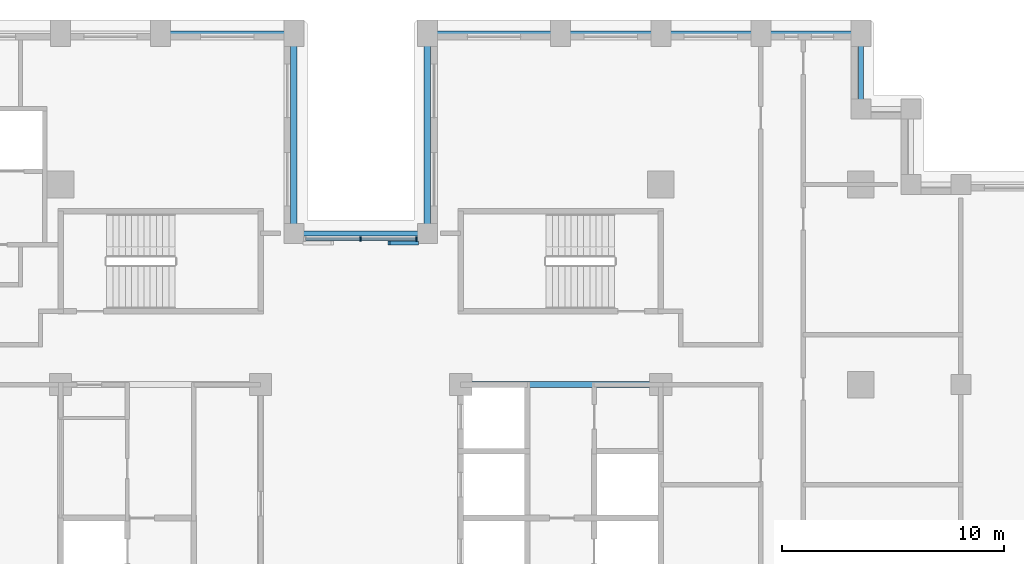
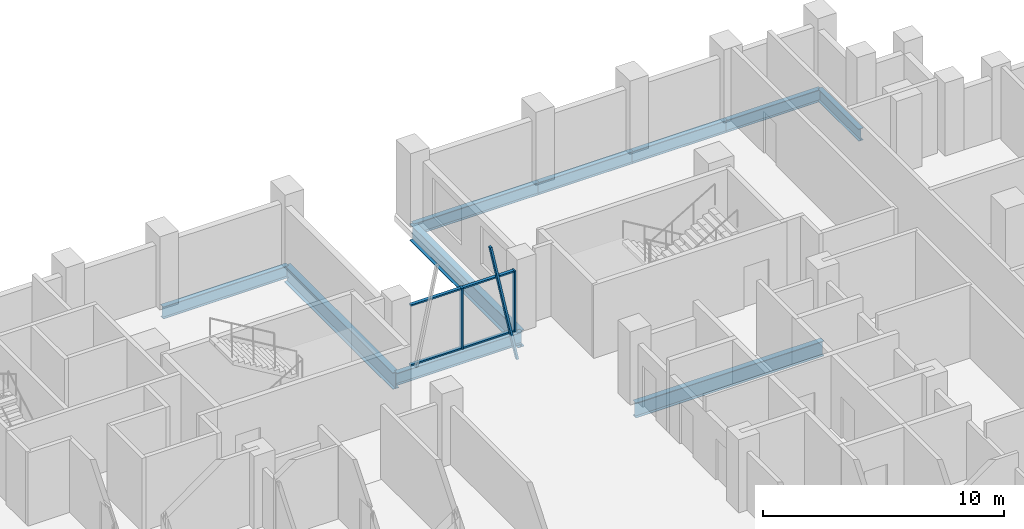
# One storey, part 4 of 16: 10 beams, 7 members, 1 element without a shape of its own.
"""IFC4 building model written with IfcOpenShell, lengths in metres."""

from ifc_helpers import new_model, si_unit, direction, frame, origin, origin_2d, place, context, subcontext, project, spatial, rectangle, i_section, extrude, material, layer, layer_set, material_profile, profile_set, type_object, element, aggregate, save


model = new_model("IFC4")

# Units and contexts
model_context = context("Model", 3, precision=1e-05, world=origin(), true_north=direction((0.0, 1.0)))
body_context = subcontext(model_context, "Body", "Model", "MODEL_VIEW")
ifc_project = project(units=[si_unit("LENGTHUNIT", "METRE"), si_unit("AREAUNIT", "SQUARE_METRE"), si_unit("VOLUMEUNIT", "CUBIC_METRE"), si_unit("PLANEANGLEUNIT", "RADIAN"), si_unit("MASSUNIT", "GRAM", prefix="KILO")], contexts=[model_context])

# Site, building, storey
site_placement = place(None, origin())
site = spatial("IfcSite", under=ifc_project, at=site_placement, CompositionType="ELEMENT")
building_placement = place(site_placement, origin())
building = spatial("IfcBuilding", under=site, at=building_placement, Name="Corbelhall Arena Tower", CompositionType="ELEMENT")
storey_placement = place(building_placement, frame((0.0, 0.0, 112.0)))
storey = spatial("IfcBuildingStorey", under=building, at=storey_placement, Name="L20", CompositionType="ELEMENT", Elevation=112.0)

# Curtain wall, members
ifc_material_1 = material(Name="Aluminium black anodised", Category="aluminium")
ifc_layer = layer(ifc_material_1, 0.199951171875)
ifc_layer_set = layer_set([ifc_layer], Name="EV-CW1 Slot back wall")
curtain_wall_type = type_object("IfcCurtainWallType", Name="EV-CW1 Slot back wall", PredefinedType="NOTDEFINED", material=ifc_layer_set)
curtain_wall_placement = place(storey_placement, origin())
curtain_wall = element("IfcCurtainWall", 1, at=curtain_wall_placement, inside=storey, type_object=curtain_wall_type, Name="Curtain wall CW1", PredefinedType="NOTDEFINED")
ifc_material_profile_1 = material_profile(ifc_material_1, rectangle(XDim=0.199951171875, YDim=0.074951171875, at=origin_2d()))
ifc_profile_set_1 = profile_set([ifc_material_profile_1], Name="Aluminium black anodised")
member_type_1 = type_object("IfcMemberType", Name="EV-CW1-MULLION", PredefinedType="MULLION", material=ifc_profile_set_1)
member_1_placement = place(storey_placement, frame((2.512451171875, 15.550048828125, 0.0), z_axis=(0.0, 0.0, 1.0), x_axis=(0.0, -1.0, 0.0)))
member_1 = element("IfcMember", 2, at=member_1_placement, type_object=member_type_1, Name="CW1 mullion 1", PredefinedType="MULLION", context=body_context, shape_type="SweptSolid", body=[
    extrude(rectangle(XDim=0.199951171875, YDim=0.074951171875, at=origin_2d()), origin(), (0.0, 0.0, 1.0), 3.10009765625),
])
member_2_placement = place(storey_placement, frame((0.0, 15.550048828125, 0.0), z_axis=(0.0, 0.0, 1.0), x_axis=(0.0, -1.0, 0.0)))
member_2 = element("IfcMember", 3, at=member_2_placement, type_object=member_type_1, Name="CW1 mullion 2", PredefinedType="MULLION", context=body_context, shape_type="SweptSolid", body=[
    extrude(rectangle(XDim=0.199951171875, YDim=0.074951171875, at=origin_2d()), origin(), (0.0, 0.0, 1.0), 3.10009765625),
])
ifc_material_profile_2 = material_profile(ifc_material_1, rectangle(XDim=0.14990234375, YDim=0.074951171875, at=origin_2d()))
ifc_profile_set_2 = profile_set([ifc_material_profile_2], Name="Aluminium black anodised")
member_type_2 = type_object("IfcMemberType", Name="EV-CW1-TRANSOM", PredefinedType="USERDEFINED", material=ifc_profile_set_2)
member_3_placement = place(storey_placement, frame((2.47509765625, 15.550048828125, 0.03759765625), z_axis=(-1.0, 0.0, 0.0), x_axis=(0.0, -1.0, 0.0)))
member_3 = element("IfcMember", 4, at=member_3_placement, type_object=member_type_2, Name="CW1 transom 1.1", ObjectType="transom", PredefinedType="USERDEFINED", context=body_context, shape_type="SweptSolid", body=[
    extrude(rectangle(XDim=0.14990234375, YDim=0.074951171875, at=origin_2d()), origin(), (0.0, 0.0, 1.0), 2.4375),
])
member_4_placement = place(storey_placement, frame((2.47509765625, 15.550048828125, 3.0625), z_axis=(-1.0, 0.0, 0.0), x_axis=(0.0, -1.0, 0.0)))
member_4 = element("IfcMember", 5, at=member_4_placement, type_object=member_type_2, Name="CW1 transom 1.2", ObjectType="transom", PredefinedType="USERDEFINED", context=body_context, shape_type="SweptSolid", body=[
    extrude(rectangle(XDim=0.14990234375, YDim=0.074951171875, at=origin_2d()), origin(), (0.0, 0.0, 1.0), 2.4375),
])
member_5_placement = place(storey_placement, frame((-0.03759765625, 15.550048828125, 0.03759765625), z_axis=(-1.0, 0.0, 0.0), x_axis=(0.0, -1.0, 0.0)))
member_5 = element("IfcMember", 6, at=member_5_placement, type_object=member_type_2, Name="CW1 transom 2.1", ObjectType="transom", PredefinedType="USERDEFINED", context=body_context, shape_type="SweptSolid", body=[
    extrude(rectangle(XDim=0.14990234375, YDim=0.074951171875, at=origin_2d()), origin(), (0.0, 0.0, 1.0), 2.4375),
])
member_6_placement = place(storey_placement, frame((-0.03759765625, 15.550048828125, 3.0625), z_axis=(-1.0, 0.0, 0.0), x_axis=(0.0, -1.0, 0.0)))
member_6 = element("IfcMember", 7, at=member_6_placement, type_object=member_type_2, Name="CW1 transom 2.2", ObjectType="transom", PredefinedType="USERDEFINED", context=body_context, shape_type="SweptSolid", body=[
    extrude(rectangle(XDim=0.14990234375, YDim=0.074951171875, at=origin_2d()), origin(), (0.0, 0.0, 1.0), 2.4375),
])
aggregate(curtain_wall, [member_1, member_2, member_3, member_4, member_5, member_6])

# Member
ifc_material_profile_3 = material_profile(ifc_material_1, rectangle(XDim=0.159912109375, YDim=0.10009765625, at=origin_2d()))
ifc_profile_set_3 = profile_set([ifc_material_profile_3], Name="Aluminium black anodised")
member_type_3 = type_object("IfcMemberType", Name="EV-TR1 Tracery bar", PredefinedType="USERDEFINED", material=ifc_profile_set_3)
member_7_placement = place(storey_placement, frame((2.550048828125, 15.3701171875, -1.307373046875), z_axis=(-0.204144671158, 0.0, 0.978940730197), x_axis=(0.0, -1.0, 0.0)))
element("IfcMember", 8, at=member_7_placement, inside=storey, type_object=member_type_3, Name="Tracery bar", ObjectType="TRACERY", PredefinedType="USERDEFINED", context=body_context, shape_type="SweptSolid", body=[
    extrude(rectangle(XDim=0.159912109375, YDim=0.10009765625, at=origin_2d()), origin(), (0.0, 0.0, 1.0), 6.246337890625),
])

# Beams
ifc_material_2 = material(Name="Steel ASTM A992 Gr50", Category="steel")
ifc_material_profile_4 = material_profile(ifc_material_2, i_section(OverallWidth=0.2666015625, OverallDepth=0.761962890625, WebThickness=0.014404296875, FlangeThickness=0.021484375, at=origin_2d()))
ifc_profile_set_4 = profile_set([ifc_material_profile_4], Name="Steel ASTM A992 Gr50")
beam_type_1 = type_object("IfcBeamType", Name="ST-BEAM-W30x116", PredefinedType="BEAM", material=ifc_profile_set_4)
beam_1_placement = place(storey_placement, frame((4.5, 9.0, -0.680908203125), z_axis=(1.0, 0.0, 0.0), x_axis=(0.0, 1.0, 0.0)))
element("IfcBeam", 9, at=beam_1_placement, inside=storey, type_object=beam_type_1, Name="Beam CEE 12", PredefinedType="BEAM", context=body_context, shape_type="SweptSolid", body=[
    extrude(i_section(OverallWidth=0.2666015625, OverallDepth=0.761962890625, WebThickness=0.014404296875, FlangeThickness=0.021484375, at=origin_2d()), origin(), (0.0, 0.0, 1.0), 9.0),
])
ifc_material_profile_5 = material_profile(ifc_material_2, i_section(OverallWidth=0.23046875, OverallDepth=0.6171875, WebThickness=0.01318359375, FlangeThickness=0.022216796875, at=origin_2d()))
ifc_profile_set_5 = profile_set([ifc_material_profile_5], Name="Steel ASTM A992 Gr50")
beam_type_2 = type_object("IfcBeamType", Name="ST-SPANDREL-W24x94", PredefinedType="SPANDREL", material=ifc_profile_set_5)
beam_2_placement = place(storey_placement, frame((3.0, 24.800048828125, -0.608642578125), z_axis=(1.0, 0.0, 0.0), x_axis=(0.0, 1.0, 0.0)))
element("IfcBeam", 10, at=beam_2_placement, inside=storey, type_object=beam_type_2, Name="Beam SP 17", PredefinedType="SPANDREL", context=body_context, shape_type="SweptSolid", body=[
    extrude(i_section(OverallWidth=0.23046875, OverallDepth=0.6171875, WebThickness=0.01318359375, FlangeThickness=0.022216796875, at=origin_2d()), origin(), (0.0, 0.0, 1.0), 6.0),
])
for number, where, z_axis, x_axis, name in (
    (11, (9.0, 24.800048828125, -0.608642578125), (1.0, 0.0, 0.0), (0.0, 1.0, 0.0), "Beam SP 18"),
    (12, (13.5, 24.800048828125, -0.608642578125), (1.0, 0.0, 0.0), (0.0, 1.0, 0.0), "Beam SP 19"),
    (13, (18.0, 24.800048828125, -0.608642578125), (1.0, 0.0, 0.0), (0.0, 1.0, 0.0), "Beam SP 20"),
):
    element("IfcBeam", number, at=place(storey_placement, frame(where, z_axis=z_axis, x_axis=x_axis)), inside=storey, type_object=beam_type_2, Name=name, PredefinedType="SPANDREL", context=body_context, shape_type="SweptSolid", body=[
        extrude(i_section(OverallWidth=0.23046875, OverallDepth=0.6171875, WebThickness=0.01318359375, FlangeThickness=0.022216796875, at=origin_2d()), origin(), (0.0, 0.0, 1.0), 4.5),
    ])
beam_3_placement = place(storey_placement, frame((22.5, 24.800048828125, -0.608642578125), z_axis=(0.0, -1.0, 0.0), x_axis=(1.0, 0.0, 0.0)))
element("IfcBeam", 14, at=beam_3_placement, inside=storey, type_object=beam_type_2, Name="Beam SP 21", PredefinedType="SPANDREL", context=body_context, shape_type="SweptSolid", body=[
    extrude(i_section(OverallWidth=0.23046875, OverallDepth=0.6171875, WebThickness=0.01318359375, FlangeThickness=0.022216796875, at=origin_2d()), origin(), (0.0, 0.0, 1.0), 3.400146484375),
])
for number, where, z_axis, x_axis, name in (
    (15, (-9.0, 24.800048828125, -0.608642578125), (1.0, 0.0, 0.0), (0.0, 1.0, 0.0), "Beam SP 23"),
    (16, (-3.0, 15.800048828125, -0.608642578125), (1.0, 0.0, 0.0), (0.0, 1.0, 0.0), "Beam SP 40"),
):
    element("IfcBeam", number, at=place(storey_placement, frame(where, z_axis=z_axis, x_axis=x_axis)), inside=storey, type_object=beam_type_2, Name=name, PredefinedType="SPANDREL", context=body_context, shape_type="SweptSolid", body=[
        extrude(i_section(OverallWidth=0.23046875, OverallDepth=0.6171875, WebThickness=0.01318359375, FlangeThickness=0.022216796875, at=origin_2d()), origin(), (0.0, 0.0, 1.0), 6.0),
    ])
ifc_material_profile_6 = material_profile(ifc_material_2, i_section(OverallWidth=0.2919921875, OverallDepth=0.845703125, WebThickness=0.015380859375, FlangeThickness=0.0244140625, at=origin_2d()))
ifc_profile_set_6 = profile_set([ifc_material_profile_6], Name="Steel ASTM A992 Gr50")
beam_type_3 = type_object("IfcBeamType", Name="ST-SPANDREL-W33x141", PredefinedType="SPANDREL", material=ifc_profile_set_6)
for number, where, z_axis, x_axis, name in (
    (17, (-3.0, 24.800048828125, -0.722900390625), (0.0, -1.0, 0.0), (1.0, 0.0, 0.0), "Beam SP 22"),
    (18, (3.0, 15.800048828125, -0.722900390625), (0.0, 1.0, 0.0), (-1.0, 0.0, 0.0), "Beam SP 39"),
):
    element("IfcBeam", number, at=place(storey_placement, frame(where, z_axis=z_axis, x_axis=x_axis)), inside=storey, type_object=beam_type_3, Name=name, PredefinedType="SPANDREL", context=body_context, shape_type="SweptSolid", body=[
        extrude(i_section(OverallWidth=0.2919921875, OverallDepth=0.845703125, WebThickness=0.015380859375, FlangeThickness=0.0244140625, at=origin_2d()), origin(), (0.0, 0.0, 1.0), 9.0),
    ])

save(model, "model.ifc")
